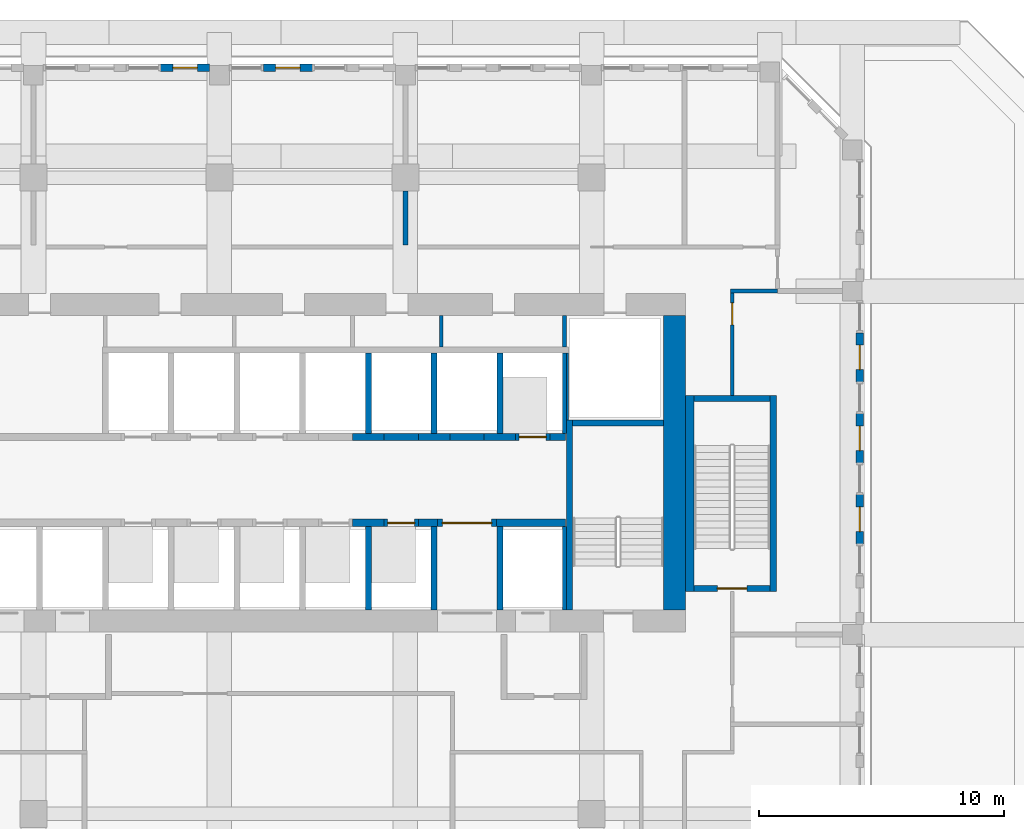
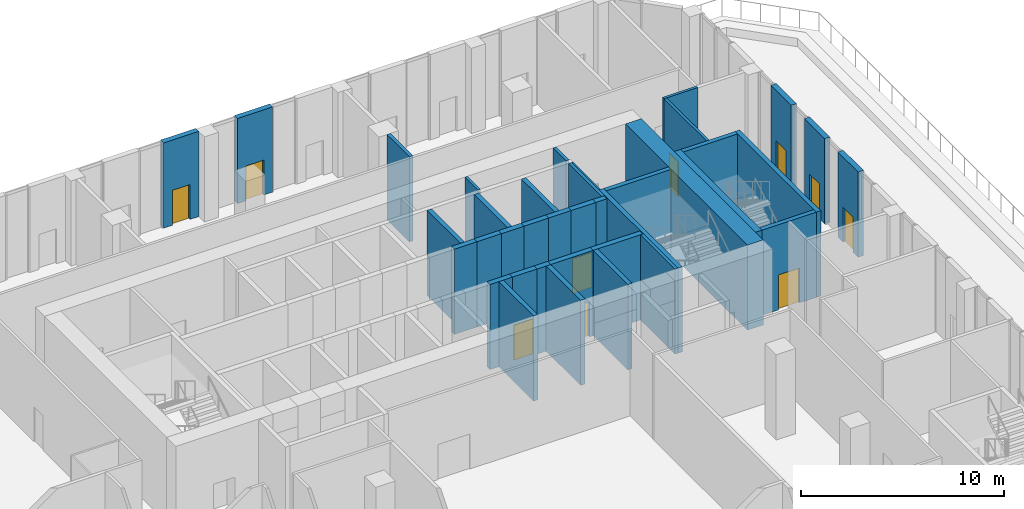
# One storey, part 14 of 19: 38 walls, 10 doors, 10 openings.
"""IFC4 building model written with IfcOpenShell, lengths in metres."""

from ifc_helpers import new_model, si_unit, direction, frame, frame_2d, origin, place, context, subcontext, project, spatial, rectangle, extrude, source, transform, mapped, material, layer, layer_set, type_object, element, fill, save


model = new_model("IFC4")

# Units and contexts
model_context = context("Model", 3, precision=1e-05, world=origin(), true_north=direction((0.0, 1.0)))
body_context = subcontext(model_context, "Body", "Model", "MODEL_VIEW")
ifc_project = project(units=[si_unit("LENGTHUNIT", "METRE"), si_unit("AREAUNIT", "SQUARE_METRE"), si_unit("VOLUMEUNIT", "CUBIC_METRE"), si_unit("PLANEANGLEUNIT", "RADIAN"), si_unit("MASSUNIT", "GRAM", prefix="KILO")], contexts=[model_context])

# Site, building, storey
site_placement = place(None, origin())
site = spatial("IfcSite", under=ifc_project, at=site_placement, CompositionType="ELEMENT")
building_placement = place(site_placement, origin())
building = spatial("IfcBuilding", under=site, at=building_placement, Name="Kilnfold Tower and Market Hall", CompositionType="ELEMENT")
storey_placement = place(building_placement, frame((0.0, 0.0, 138.5)))
storey = spatial("IfcBuildingStorey", under=building, at=storey_placement, Name="L31", CompositionType="ELEMENT", Elevation=138.5)

# Wall
ifc_material_1 = material(Name="Gypsum board on steel studs", Category="steel")
ifc_layer_1 = layer(ifc_material_1, 0.14990234375)
ifc_layer_set_1 = layer_set([ifc_layer_1], Name="Gypsum board on steel studs")
wall_type_1 = type_object("IfcWallType", Name="WALL CORRIDOR 150", PredefinedType="PARTITIONING", material=ifc_layer_set_1)
wall_1_placement = place(storey_placement, frame((19.824951171875, 22.0, 0.0), z_axis=(0.0, 0.0, 1.0), x_axis=(1.0, 0.0, 0.0)))
element("IfcWall", 1, at=wall_1_placement, inside=storey, type_object=wall_type_1, Name="Partition LY20.23", PredefinedType="PARTITIONING", context=body_context, shape_type="SweptSolid", body=[
    extrude(rectangle(XDim=1.925048828125, YDim=0.14990234375, at=frame_2d((0.96240234375, 0.0))), origin(), (0.0, 0.0, 1.0), 5.1201171875),
])

# Wall, opening, door
wall_2_placement = place(storey_placement, frame((19.89990234375, 17.75, 0.0), z_axis=(0.0, 0.0, 1.0), x_axis=(0.0, 1.0, 0.0)))
wall_2 = element("IfcWall", 2, at=wall_2_placement, inside=storey, type_object=wall_type_1, Name="Partition LY20.24", PredefinedType="PARTITIONING", context=body_context, shape_type="SweptSolid", body=[
    extrude(rectangle(XDim=4.175048828125, YDim=0.14990234375, at=frame_2d((2.08740234375, 0.0))), origin(), (0.0, 0.0, 1.0), 5.1201171875),
])
opening_1_placement = place(wall_2_placement, frame((2.8701171875, 0.0, 0.0)))
opening_1 = element("IfcOpeningElement", 3, at=opening_1_placement, cuts=wall_2, Name="Opening D2", PredefinedType="OPENING", context=body_context, shape_type="SweptSolid", body=[
    extrude(rectangle(XDim=0.89990234375, YDim=2.10009765625, at=frame_2d((0.449951171875, 1.050048828125))), frame((0.0, 0.0849609375, 0.0), z_axis=(0.0, -1.0, 0.0), x_axis=(1.0, 0.0, 0.0)), (0.0, 0.0, 1.0), 0.169921875),
])
ifc_material_2 = material(Name="Timber veneer door leaf in steel frame", Category="steel")
door_type_1 = type_object("IfcDoorType", Name="DOOR ROOM 900 X2100", OperationType="NOTDEFINED", PredefinedType="DOOR", material=ifc_material_2)
door_1_placement = place(opening_1_placement, origin())
door_1 = element("IfcDoor", 4, at=door_1_placement, inside=storey, type_object=door_type_1, Name="Door D2", OperationType="SINGLE_SWING_LEFT", OverallHeight=2.10009765625, OverallWidth=0.89990234375, PredefinedType="DOOR", context=body_context, shape_type="SweptSolid", body=[
    extrude(rectangle(XDim=0.89990234375, YDim=2.10009765625, at=frame_2d((0.449951171875, 1.050048828125))), frame((0.0, 0.02490234375, 0.0), z_axis=(0.0, -1.0, 0.0), x_axis=(1.0, 0.0, 0.0)), (0.0, 0.0, 1.0), 0.050048828125),
])
fill(opening_1, door_1)

# Walls
ifc_material_3 = material(Name="Gypsum board on steel studs", Category="steel")
ifc_layer_2 = layer(ifc_material_3, 0.199951171875)
ifc_layer_set_2 = layer_set([ifc_layer_2], Name="Gypsum board on steel studs")
wall_type_2 = type_object("IfcWallType", Name="WALL PARTY 200", PredefinedType="PARTITIONING", material=ifc_layer_set_2)
wall_3_placement = place(storey_placement, frame((6.5830078125, 23.876953125, 0.0), z_axis=(0.0, 0.0, 1.0), x_axis=(0.0, 1.0, 0.0)))
element("IfcWall", 5, at=wall_3_placement, inside=storey, type_object=wall_type_2, Name="Partition LY20.64", PredefinedType="PARTITIONING", context=body_context, shape_type="SweptSolid", body=[
    extrude(rectangle(XDim=2.197998046875, YDim=0.199951171875, at=frame_2d((1.09912109375, 0.0))), origin(), (0.0, 0.0, 1.0), 5.1201171875),
])
ifc_material_4 = material(Name="Concrete C70", Category="concrete")
ifc_layer_3 = layer(ifc_material_4, 0.89990234375)
ifc_layer_set_3 = layer_set([ifc_layer_3], Name="Concrete C70")
wall_type_3 = type_object("IfcWallType", Name="CORE WALL 900 C70", PredefinedType="SHEAR", material=ifc_layer_set_3)
shared_shape_1 = source(origin(), body_context, "Body", "SweptSolid", [
    extrude(rectangle(XDim=12.0, YDim=0.89990234375, at=frame_2d((6.0, 0.0))), origin(), (0.0, 0.0, 1.0), 5.1201171875),
])
wall_4_placement = place(storey_placement, frame((17.550048828125, 9.0, 0.0), z_axis=(0.0, 0.0, 1.0), x_axis=(0.0, 1.0, 0.0)))
element("IfcWall", 6, at=wall_4_placement, inside=storey, type_object=wall_type_3, Name="Core outer wall east", PredefinedType="SHEAR", context=body_context, shape_type="MappedRepresentation", body=[
    mapped(shared_shape_1, transform((0.0, 0.0, 0.0))),
])
ifc_material_5 = material(Name="Concrete C70", Category="concrete")
ifc_layer_4 = layer(ifc_material_5, 0.25)
ifc_layer_set_4 = layer_set([ifc_layer_4], Name="Concrete C70")
wall_type_4 = type_object("IfcWallType", Name="CORE WALL 250 C70", PredefinedType="SHEAR", material=ifc_layer_set_4)
shared_shape_2 = source(origin(), body_context, "Body", "SweptSolid", [
    extrude(rectangle(XDim=7.75, YDim=0.25, at=frame_2d((3.875, 0.0))), origin(), (0.0, 0.0, 1.0), 5.1201171875),
])
wall_5_placement = place(storey_placement, frame((13.27490234375, 9.0, 0.0), z_axis=(0.0, 0.0, 1.0), x_axis=(0.0, 1.0, 0.0)))
element("IfcWall", 7, at=wall_5_placement, inside=storey, type_object=wall_type_4, Name="Stair enclosure ST2", PredefinedType="SHEAR", context=body_context, shape_type="MappedRepresentation", body=[
    mapped(shared_shape_2, transform((0.0, 0.0, 0.0))),
])
shared_shape_3 = source(origin(), body_context, "Body", "SweptSolid", [
    extrude(rectangle(XDim=3.7001953125, YDim=0.25, at=frame_2d((1.85009765625, 0.0))), origin(), (0.0, 0.0, 1.0), 5.1201171875),
])
wall_6_placement = place(storey_placement, frame((13.39990234375, 16.625, 0.0), z_axis=(0.0, 0.0, 1.0), x_axis=(1.0, 0.0, 0.0)))
element("IfcWall", 8, at=wall_6_placement, inside=storey, type_object=wall_type_4, Name="Stair enclosure ST2", PredefinedType="SHEAR", context=body_context, shape_type="MappedRepresentation", body=[
    mapped(shared_shape_3, transform((0.0, 0.0, 0.0))),
])
shared_shape_4 = source(origin(), body_context, "Body", "SweptSolid", [
    extrude(rectangle(XDim=8.0, YDim=0.25, at=frame_2d((4.0, 0.0))), origin(), (0.0, 0.0, 1.0), 5.1201171875),
])
wall_7_placement = place(storey_placement, frame((21.574951171875, 9.75, 0.0), z_axis=(0.0, 0.0, 1.0), x_axis=(0.0, 1.0, 0.0)))
element("IfcWall", 9, at=wall_7_placement, inside=storey, type_object=wall_type_4, Name="Stair enclosure ST5", PredefinedType="SHEAR", context=body_context, shape_type="MappedRepresentation", body=[
    mapped(shared_shape_4, transform((0.0, 0.0, 0.0))),
])
ifc_material_6 = material(Name="Concrete C70", Category="concrete")
ifc_layer_5 = layer(ifc_material_6, 0.35009765625)
ifc_layer_set_5 = layer_set([ifc_layer_5], Name="Concrete C70")
wall_type_5 = type_object("IfcWallType", Name="CORE WALL 350 C70", PredefinedType="SHEAR", material=ifc_layer_set_5)
shared_shape_5 = source(origin(), body_context, "Body", "SweptSolid", [
    extrude(rectangle(XDim=8.0, YDim=0.35009765625, at=frame_2d((4.0, 0.0))), origin(), (0.0, 0.0, 1.0), 5.1201171875),
])
wall_8_placement = place(storey_placement, frame((18.175048828125, 9.75, 0.0), z_axis=(0.0, 0.0, 1.0), x_axis=(0.0, 1.0, 0.0)))
element("IfcWall", 10, at=wall_8_placement, inside=storey, type_object=wall_type_5, Name="Stair enclosure ST5", PredefinedType="SHEAR", context=body_context, shape_type="MappedRepresentation", body=[
    mapped(shared_shape_5, transform((0.0, 0.0, 0.0))),
])

# Wall, opening, door
shared_shape_6 = source(origin(), body_context, "Body", "SweptSolid", [
    extrude(rectangle(XDim=3.099853515625, YDim=0.25, at=frame_2d((1.5498046875, 0.0))), origin(), (0.0, 0.0, 1.0), 5.1201171875),
])
wall_9_placement = place(storey_placement, frame((18.35009765625, 9.875, 0.0), z_axis=(0.0, 0.0, 1.0), x_axis=(1.0, 0.0, 0.0)))
wall_9 = element("IfcWall", 11, at=wall_9_placement, inside=storey, type_object=wall_type_4, Name="Stair enclosure ST5", PredefinedType="SHEAR", context=body_context, shape_type="MappedRepresentation", body=[
    mapped(shared_shape_6, transform((0.0, 0.0, 0.0))),
])
opening_2_placement = place(wall_9_placement, frame((0.949951171875, 0.0, 0.0)))
opening_2 = element("IfcOpeningElement", 12, at=opening_2_placement, cuts=wall_9, Name="Opening SD1", PredefinedType="OPENING", context=body_context, shape_type="SweptSolid", body=[
    extrude(rectangle(XDim=1.199951171875, YDim=2.10009765625, at=frame_2d((0.60009765625, 1.050048828125))), frame((0.0, 0.135009765625, 0.0), z_axis=(0.0, -1.0, 0.0), x_axis=(1.0, 0.0, 0.0)), (0.0, 0.0, 1.0), 0.27001953125),
])
ifc_material_7 = material(Name="Steel door set with fire-resisting leaf", Category="steel")
door_type_2 = type_object("IfcDoorType", Name="STAIR FLOOR DOOR 1200X2100", OperationType="NOTDEFINED", PredefinedType="DOOR", material=ifc_material_7)
door_2_placement = place(opening_2_placement, origin())
door_2 = element("IfcDoor", 13, at=door_2_placement, inside=storey, type_object=door_type_2, Name="Exit stair ST5 door", OperationType="DOUBLE_DOOR_SINGLE_SWING", OverallHeight=2.10009765625, OverallWidth=1.199951171875, PredefinedType="DOOR", context=body_context, shape_type="SweptSolid", body=[
    extrude(rectangle(XDim=1.199951171875, YDim=2.10009765625, at=frame_2d((0.60009765625, 1.050048828125))), frame((0.0, 0.02490234375, 0.0), z_axis=(0.0, -1.0, 0.0), x_axis=(1.0, 0.0, 0.0)), (0.0, 0.0, 1.0), 0.050048828125),
])
fill(opening_2, door_2)

# Walls
wall_10_placement = place(storey_placement, frame((18.35009765625, 17.625, 0.0), z_axis=(0.0, 0.0, 1.0), x_axis=(1.0, 0.0, 0.0)))
element("IfcWall", 14, at=wall_10_placement, inside=storey, type_object=wall_type_4, Name="Stair enclosure ST5", PredefinedType="SHEAR", context=body_context, shape_type="MappedRepresentation", body=[
    mapped(shared_shape_6, transform((0.0, 0.0, 0.0))),
])
ifc_material_8 = material(Name="Concrete C70", Category="concrete")
ifc_layer_6 = layer(ifc_material_8, 0.300048828125)
ifc_layer_set_6 = layer_set([ifc_layer_6], Name="Concrete C70")
wall_type_6 = type_object("IfcWallType", Name="CORE WALL 300 C70", PredefinedType="SHEAR", material=ifc_layer_set_6)
shared_shape_7 = source(origin(), body_context, "Body", "SweptSolid", [
    extrude(rectangle(XDim=1.280029296875, YDim=0.300048828125, at=frame_2d((0.64013671875, 0.0))), origin(), (0.0, 0.0, 1.0), 5.1201171875),
])
for number, where, z_axis, x_axis, name in (
    (15, (4.429931640625, 12.550048828125, 0.0), (0.0, 0.0, 1.0), (1.0, 0.0, 0.0), "Core spine wall"),
    (16, (4.429931640625, 16.050048828125, 0.0), (0.0, 0.0, 1.0), (1.0, 0.0, 0.0), "Core spine wall"),
    (17, (9.7900390625, 16.050048828125, 0.0), (0.0, 0.0, 1.0), (1.0, 0.0, 0.0), "Core spine wall"),
):
    element("IfcWall", number, at=place(storey_placement, frame(where, z_axis=z_axis, x_axis=x_axis)), inside=storey, type_object=wall_type_6, Name=name, PredefinedType="SHEAR", context=body_context, shape_type="MappedRepresentation", body=[
        mapped(shared_shape_7, transform((0.0, 0.0, 0.0))),
    ])
shared_shape_8 = source(origin(), body_context, "Body", "SweptSolid", [
    extrude(rectangle(XDim=0.77978515625, YDim=0.300048828125, at=frame_2d((0.389892578125, 0.0))), origin(), (0.0, 0.0, 1.0), 5.1201171875),
])
wall_11_placement = place(storey_placement, frame((7.110107421875, 12.550048828125, 0.0), z_axis=(0.0, 0.0, 1.0), x_axis=(1.0, 0.0, 0.0)))
element("IfcWall", 18, at=wall_11_placement, inside=storey, type_object=wall_type_6, Name="Core spine wall", PredefinedType="SHEAR", context=body_context, shape_type="MappedRepresentation", body=[
    mapped(shared_shape_8, transform((0.0, 0.0, 0.0))),
])
shared_shape_9 = source(origin(), body_context, "Body", "SweptSolid", [
    extrude(rectangle(XDim=2.820068359375, YDim=0.300048828125, at=frame_2d((1.41015625, 0.0))), origin(), (0.0, 0.0, 1.0), 5.1201171875),
])
wall_12_placement = place(storey_placement, frame((10.2900390625, 12.550048828125, 0.0), z_axis=(0.0, 0.0, 1.0), x_axis=(1.0, 0.0, 0.0)))
element("IfcWall", 19, at=wall_12_placement, inside=storey, type_object=wall_type_6, Name="Core spine wall", PredefinedType="SHEAR", context=body_context, shape_type="MappedRepresentation", body=[
    mapped(shared_shape_9, transform((0.0, 0.0, 0.0))),
])
shared_shape_10 = source(origin(), body_context, "Body", "SweptSolid", [
    extrude(rectangle(XDim=1.27978515625, YDim=0.300048828125, at=frame_2d((0.639892578125, 0.0))), origin(), (0.0, 0.0, 1.0), 5.1201171875),
])
wall_13_placement = place(storey_placement, frame((7.110107421875, 16.050048828125, 0.0), z_axis=(0.0, 0.0, 1.0), x_axis=(1.0, 0.0, 0.0)))
element("IfcWall", 20, at=wall_13_placement, inside=storey, type_object=wall_type_6, Name="Core spine wall", PredefinedType="SHEAR", context=body_context, shape_type="MappedRepresentation", body=[
    mapped(shared_shape_10, transform((0.0, 0.0, 0.0))),
])
shared_shape_11 = source(origin(), body_context, "Body", "SweptSolid", [
    extrude(rectangle(XDim=0.64013671875, YDim=0.300048828125, at=frame_2d((0.320068359375, 0.0))), origin(), (0.0, 0.0, 1.0), 5.1201171875),
])
wall_14_placement = place(storey_placement, frame((12.469970703125, 16.050048828125, 0.0), z_axis=(0.0, 0.0, 1.0), x_axis=(1.0, 0.0, 0.0)))
element("IfcWall", 21, at=wall_14_placement, inside=storey, type_object=wall_type_6, Name="Core spine wall", PredefinedType="SHEAR", context=body_context, shape_type="MappedRepresentation", body=[
    mapped(shared_shape_11, transform((0.0, 0.0, 0.0))),
])

# Wall, opening, door
ifc_material_9 = material(Name="Precast concrete C50/60", Category="concrete")
ifc_layer_7 = layer(ifc_material_9, 0.300048828125)
ifc_layer_set_7 = layer_set([ifc_layer_7], Name="Precast concrete C50/60")
wall_type_7 = type_object("IfcWallType", Name="PRECAST WALL 300", PredefinedType="SOLIDWALL", material=ifc_layer_set_7)
shared_shape_12 = source(origin(), body_context, "Body", "SweptSolid", [
    extrude(rectangle(XDim=2.0, YDim=0.300048828125, at=frame_2d((1.0, 0.0))), origin(), (0.0, 0.0, 1.0), 5.1201171875),
])
wall_15_placement = place(storey_placement, frame((25.10009765625, 11.699951171875, 0.0), z_axis=(0.0, 0.0, 1.0), x_axis=(0.0, 1.0, 0.0)))
wall_15 = element("IfcWall", 22, at=wall_15_placement, inside=storey, type_object=wall_type_7, Name="External wall L31 E", PredefinedType="SOLIDWALL", context=body_context, shape_type="MappedRepresentation", body=[
    mapped(shared_shape_12, transform((0.0, 0.0, 0.0))),
])
opening_3_placement = place(wall_15_placement, frame((0.5, 0.0, 0.0)))
opening_3 = element("IfcOpeningElement", 23, at=opening_3_placement, cuts=wall_15, Name="Opening BD1", PredefinedType="OPENING", context=body_context, shape_type="SweptSolid", body=[
    extrude(rectangle(XDim=1.0, YDim=2.10009765625, at=frame_2d((0.5, 1.050048828125))), frame((0.0, 0.16015625, 0.0), z_axis=(0.0, -1.0, 0.0), x_axis=(1.0, 0.0, 0.0)), (0.0, 0.0, 1.0), 0.320068359375),
])
ifc_material_10 = material(Name="Aluminium frame and double glazing", Category="aluminium")
door_type_3 = type_object("IfcDoorType", Name="BALCONY DOOR 1000X2100", OperationType="NOTDEFINED", PredefinedType="DOOR", material=ifc_material_10)
door_3_placement = place(opening_3_placement, origin())
door_3 = element("IfcDoor", 24, at=door_3_placement, inside=storey, type_object=door_type_3, Name="Balcony door BD1 L31 E-2", OperationType="SINGLE_SWING_RIGHT", OverallHeight=2.10009765625, OverallWidth=1.0, PredefinedType="DOOR", context=body_context, shape_type="SweptSolid", body=[
    extrude(rectangle(XDim=1.0, YDim=2.10009765625, at=frame_2d((0.5, 1.050048828125))), frame((0.0, 0.02490234375, 0.0), z_axis=(0.0, -1.0, 0.0), x_axis=(1.0, 0.0, 0.0)), (0.0, 0.0, 1.0), 0.050048828125),
])
fill(opening_3, door_3)

wall_16_placement = place(storey_placement, frame((25.10009765625, 15.0, 0.0), z_axis=(0.0, 0.0, 1.0), x_axis=(0.0, 1.0, 0.0)))
wall_16 = element("IfcWall", 25, at=wall_16_placement, inside=storey, type_object=wall_type_7, Name="External wall L31 E", PredefinedType="SOLIDWALL", context=body_context, shape_type="MappedRepresentation", body=[
    mapped(shared_shape_12, transform((0.0, 0.0, 0.0))),
])
opening_4_placement = place(wall_16_placement, frame((0.5, 0.0, 0.0)))
opening_4 = element("IfcOpeningElement", 26, at=opening_4_placement, cuts=wall_16, Name="Opening BD1", PredefinedType="OPENING", context=body_context, shape_type="SweptSolid", body=[
    extrude(rectangle(XDim=1.0, YDim=2.10009765625, at=frame_2d((0.5, 1.050048828125))), frame((0.0, 0.16015625, 0.0), z_axis=(0.0, -1.0, 0.0), x_axis=(1.0, 0.0, 0.0)), (0.0, 0.0, 1.0), 0.320068359375),
])
door_4_placement = place(opening_4_placement, origin())
door_4 = element("IfcDoor", 27, at=door_4_placement, inside=storey, type_object=door_type_3, Name="Balcony door BD1 L31 E-3", OperationType="SINGLE_SWING_LEFT", OverallHeight=2.10009765625, OverallWidth=1.0, PredefinedType="DOOR", context=body_context, shape_type="SweptSolid", body=[
    extrude(rectangle(XDim=1.0, YDim=2.10009765625, at=frame_2d((0.5, 1.050048828125))), frame((0.0, 0.02490234375, 0.0), z_axis=(0.0, -1.0, 0.0), x_axis=(1.0, 0.0, 0.0)), (0.0, 0.0, 1.0), 0.050048828125),
])
fill(opening_4, door_4)

wall_17_placement = place(storey_placement, frame((25.10009765625, 18.300048828125, 0.0), z_axis=(0.0, 0.0, 1.0), x_axis=(0.0, 1.0, 0.0)))
wall_17 = element("IfcWall", 28, at=wall_17_placement, inside=storey, type_object=wall_type_7, Name="External wall L31 E", PredefinedType="SOLIDWALL", context=body_context, shape_type="MappedRepresentation", body=[
    mapped(shared_shape_12, transform((0.0, 0.0, 0.0))),
])
opening_5_placement = place(wall_17_placement, frame((0.5, 0.0, 0.0)))
opening_5 = element("IfcOpeningElement", 29, at=opening_5_placement, cuts=wall_17, Name="Opening BD1", PredefinedType="OPENING", context=body_context, shape_type="SweptSolid", body=[
    extrude(rectangle(XDim=1.0, YDim=2.10009765625, at=frame_2d((0.5, 1.050048828125))), frame((0.0, 0.16015625, 0.0), z_axis=(0.0, -1.0, 0.0), x_axis=(1.0, 0.0, 0.0)), (0.0, 0.0, 1.0), 0.320068359375),
])
door_5_placement = place(opening_5_placement, origin())
door_5 = element("IfcDoor", 30, at=door_5_placement, inside=storey, type_object=door_type_3, Name="Balcony door BD1 L31 E-4", OperationType="SINGLE_SWING_RIGHT", OverallHeight=2.10009765625, OverallWidth=1.0, PredefinedType="DOOR", context=body_context, shape_type="SweptSolid", body=[
    extrude(rectangle(XDim=1.0, YDim=2.10009765625, at=frame_2d((0.5, 1.050048828125))), frame((0.0, 0.02490234375, 0.0), z_axis=(0.0, -1.0, 0.0), x_axis=(1.0, 0.0, 0.0)), (0.0, 0.0, 1.0), 0.050048828125),
])
fill(opening_5, door_5)

wall_18_placement = place(storey_placement, frame((2.79150390625, 31.10009765625, 0.0), z_axis=(0.0, 0.0, 1.0), x_axis=(-1.0, 0.0, 0.0)))
wall_18 = element("IfcWall", 31, at=wall_18_placement, inside=storey, type_object=wall_type_7, Name="External wall L31 N", PredefinedType="SOLIDWALL", context=body_context, shape_type="MappedRepresentation", body=[
    mapped(shared_shape_12, transform((0.0, 0.0, 0.0))),
])
opening_6_placement = place(wall_18_placement, frame((0.5, 0.0, 0.0)))
opening_6 = element("IfcOpeningElement", 32, at=opening_6_placement, cuts=wall_18, Name="Opening BD1", PredefinedType="OPENING", context=body_context, shape_type="SweptSolid", body=[
    extrude(rectangle(XDim=1.0, YDim=2.10009765625, at=frame_2d((0.5, 1.050048828125))), frame((0.0, 0.16015625, 0.0), z_axis=(0.0, -1.0, 0.0), x_axis=(1.0, 0.0, 0.0)), (0.0, 0.0, 1.0), 0.320068359375),
])
door_6_placement = place(opening_6_placement, origin())
door_6 = element("IfcDoor", 33, at=door_6_placement, inside=storey, type_object=door_type_3, Name="Balcony door BD1 L31 N-2", OperationType="SINGLE_SWING_RIGHT", OverallHeight=2.10009765625, OverallWidth=1.0, PredefinedType="DOOR", context=body_context, shape_type="SweptSolid", body=[
    extrude(rectangle(XDim=1.0, YDim=2.10009765625, at=frame_2d((0.5, 1.050048828125))), frame((0.0, 0.02490234375, 0.0), z_axis=(0.0, -1.0, 0.0), x_axis=(1.0, 0.0, 0.0)), (0.0, 0.0, 1.0), 0.050048828125),
])
fill(opening_6, door_6)

wall_19_placement = place(storey_placement, frame((-1.39990234375, 31.10009765625, 0.0), z_axis=(0.0, 0.0, 1.0), x_axis=(-1.0, 0.0, 0.0)))
wall_19 = element("IfcWall", 34, at=wall_19_placement, inside=storey, type_object=wall_type_7, Name="External wall L31 N", PredefinedType="SOLIDWALL", context=body_context, shape_type="MappedRepresentation", body=[
    mapped(shared_shape_12, transform((0.0, 0.0, 0.0))),
])
opening_7_placement = place(wall_19_placement, frame((0.5, 0.0, 0.0)))
opening_7 = element("IfcOpeningElement", 35, at=opening_7_placement, cuts=wall_19, Name="Opening BD1", PredefinedType="OPENING", context=body_context, shape_type="SweptSolid", body=[
    extrude(rectangle(XDim=1.0, YDim=2.10009765625, at=frame_2d((0.5, 1.050048828125))), frame((0.0, 0.16015625, 0.0), z_axis=(0.0, -1.0, 0.0), x_axis=(1.0, 0.0, 0.0)), (0.0, 0.0, 1.0), 0.320068359375),
])
door_7_placement = place(opening_7_placement, origin())
door_7 = element("IfcDoor", 36, at=door_7_placement, inside=storey, type_object=door_type_3, Name="Balcony door BD1 L31 N-1", OperationType="SINGLE_SWING_LEFT", OverallHeight=2.10009765625, OverallWidth=1.0, PredefinedType="DOOR", context=body_context, shape_type="SweptSolid", body=[
    extrude(rectangle(XDim=1.0, YDim=2.10009765625, at=frame_2d((0.5, 1.050048828125))), frame((0.0, 0.02490234375, 0.0), z_axis=(0.0, -1.0, 0.0), x_axis=(1.0, 0.0, 0.0)), (0.0, 0.0, 1.0), 0.050048828125),
])
fill(opening_7, door_7)

ifc_material_11 = material(Name="Gypsum shaft wall system")
ifc_layer_8 = layer(ifc_material_11, 0.300048828125)
ifc_layer_set_8 = layer_set([ifc_layer_8], Name="Gypsum shaft wall system")
wall_type_8 = type_object("IfcWallType", Name="SHAFT WALL 300", PredefinedType="PARTITIONING", material=ifc_layer_set_8)
shared_shape_13 = source(origin(), body_context, "Body", "SweptSolid", [
    extrude(rectangle(XDim=1.39990234375, YDim=0.300048828125, at=frame_2d((0.699951171875, 0.0))), origin(), (0.0, 0.0, 1.0), 5.1201171875),
])
wall_20_placement = place(storey_placement, frame((11.070068359375, 16.050048828125, 0.0), z_axis=(0.0, 0.0, 1.0), x_axis=(1.0, 0.0, 0.0)))
wall_20 = element("IfcWall", 37, at=wall_20_placement, inside=storey, type_object=wall_type_8, Name="Lift shaft front wall", PredefinedType="PARTITIONING", context=body_context, shape_type="MappedRepresentation", body=[
    mapped(shared_shape_13, transform((0.0, 0.0, 0.0))),
])
opening_8_placement = place(wall_20_placement, frame((0.14990234375, 0.0, 0.0)))
opening_8 = element("IfcOpeningElement", 38, at=opening_8_placement, cuts=wall_20, Name="Opening LD2", PredefinedType="OPENING", context=body_context, shape_type="SweptSolid", body=[
    extrude(rectangle(XDim=1.10009765625, YDim=2.10009765625, at=frame_2d((0.550048828125, 1.050048828125))), frame((0.0, 0.16015625, 0.0), z_axis=(0.0, -1.0, 0.0), x_axis=(1.0, 0.0, 0.0)), (0.0, 0.0, 1.0), 0.320068359375),
])
ifc_material_12 = material(Name="Steel door set with fire-resisting leaf", Category="steel")
door_type_4 = type_object("IfcDoorType", Name="LANDING DOOR 1100X2100", OperationType="NOTDEFINED", PredefinedType="DOOR", material=ifc_material_12)
door_8_placement = place(opening_8_placement, origin())
door_8 = element("IfcDoor", 39, at=door_8_placement, inside=storey, type_object=door_type_4, Name="Landing door MR6", OperationType="DOUBLE_DOOR_SLIDING", OverallHeight=2.10009765625, OverallWidth=1.10009765625, PredefinedType="DOOR", context=body_context, shape_type="SweptSolid", body=[
    extrude(rectangle(XDim=1.10009765625, YDim=2.10009765625, at=frame_2d((0.550048828125, 1.050048828125))), frame((0.0, 0.02490234375, 0.0), z_axis=(0.0, -1.0, 0.0), x_axis=(1.0, 0.0, 0.0)), (0.0, 0.0, 1.0), 0.050048828125),
])
fill(opening_8, door_8)

shared_shape_14 = source(origin(), body_context, "Body", "SweptSolid", [
    extrude(rectangle(XDim=1.400146484375, YDim=0.300048828125, at=frame_2d((0.7001953125, 0.0))), origin(), (0.0, 0.0, 1.0), 5.1201171875),
])
wall_21_placement = place(storey_placement, frame((5.7099609375, 12.550048828125, 0.0), z_axis=(0.0, 0.0, 1.0), x_axis=(1.0, 0.0, 0.0)))
wall_21 = element("IfcWall", 40, at=wall_21_placement, inside=storey, type_object=wall_type_8, Name="Lift shaft front wall", PredefinedType="PARTITIONING", context=body_context, shape_type="MappedRepresentation", body=[
    mapped(shared_shape_14, transform((0.0, 0.0, 0.0))),
])
opening_9_placement = place(wall_21_placement, frame((0.14990234375, 0.0, 0.0)))
opening_9 = element("IfcOpeningElement", 41, at=opening_9_placement, cuts=wall_21, Name="Opening LD2", PredefinedType="OPENING", context=body_context, shape_type="SweptSolid", body=[
    extrude(rectangle(XDim=1.10009765625, YDim=2.10009765625, at=frame_2d((0.550048828125, 1.050048828125))), frame((0.0, 0.16015625, 0.0), z_axis=(0.0, -1.0, 0.0), x_axis=(1.0, 0.0, 0.0)), (0.0, 0.0, 1.0), 0.320068359375),
])
door_9_placement = place(opening_9_placement, origin())
door_9 = element("IfcDoor", 42, at=door_9_placement, inside=storey, type_object=door_type_4, Name="Landing door MR5", OperationType="DOUBLE_DOOR_SLIDING", OverallHeight=2.10009765625, OverallWidth=1.10009765625, PredefinedType="DOOR", context=body_context, shape_type="SweptSolid", body=[
    extrude(rectangle(XDim=1.10009765625, YDim=2.10009765625, at=frame_2d((0.550048828125, 1.050048828125))), frame((0.0, 0.02490234375, 0.0), z_axis=(0.0, -1.0, 0.0), x_axis=(1.0, 0.0, 0.0)), (0.0, 0.0, 1.0), 0.050048828125),
])
fill(opening_9, door_9)

# Walls
for number, where, z_axis, x_axis, name in (
    (43, (5.7099609375, 16.050048828125, 0.0), (0.0, 0.0, 1.0), (1.0, 0.0, 0.0), "Lift shaft front wall"),
    (44, (8.389892578125, 16.050048828125, 0.0), (0.0, 0.0, 1.0), (1.0, 0.0, 0.0), "Lift shaft front wall"),
):
    element("IfcWall", number, at=place(storey_placement, frame(where, z_axis=z_axis, x_axis=x_axis)), inside=storey, type_object=wall_type_8, Name=name, PredefinedType="PARTITIONING", context=body_context, shape_type="MappedRepresentation", body=[
        mapped(shared_shape_14, transform((0.0, 0.0, 0.0))),
    ])

# Wall, opening, door
shared_shape_15 = source(origin(), body_context, "Body", "SweptSolid", [
    extrude(rectangle(XDim=2.400146484375, YDim=0.300048828125, at=frame_2d((1.2001953125, 0.0))), origin(), (0.0, 0.0, 1.0), 5.1201171875),
])
wall_22_placement = place(storey_placement, frame((7.889892578125, 12.550048828125, 0.0), z_axis=(0.0, 0.0, 1.0), x_axis=(1.0, 0.0, 0.0)))
wall_22 = element("IfcWall", 45, at=wall_22_placement, inside=storey, type_object=wall_type_8, Name="Lift shaft front wall", PredefinedType="PARTITIONING", context=body_context, shape_type="MappedRepresentation", body=[
    mapped(shared_shape_15, transform((0.0, 0.0, 0.0))),
])
opening_10_placement = place(wall_22_placement, frame((0.199951171875, 0.0, 0.0)))
opening_10 = element("IfcOpeningElement", 46, at=opening_10_placement, cuts=wall_22, Name="Opening VD2", PredefinedType="OPENING", context=body_context, shape_type="SweptSolid", body=[
    extrude(rectangle(XDim=2.0, YDim=2.10009765625, at=frame_2d((1.0, 1.050048828125))), frame((0.0, 0.16015625, 0.0), z_axis=(0.0, -1.0, 0.0), x_axis=(1.0, 0.0, 0.0)), (0.0, 0.0, 1.0), 0.320068359375),
])
ifc_material_13 = material(Name="Steel door set with fire-resisting leaf", Category="steel")
door_type_5 = type_object("IfcDoorType", Name="LIFT LOBBY ENTRANCE DOOR 2000X2100", OperationType="NOTDEFINED", PredefinedType="DOOR", material=ifc_material_13)
door_10_placement = place(opening_10_placement, origin())
door_10 = element("IfcDoor", 47, at=door_10_placement, inside=storey, type_object=door_type_5, Name="Lift lobby entrance door", OperationType="DOUBLE_DOOR_SINGLE_SWING", OverallHeight=2.10009765625, OverallWidth=2.0, PredefinedType="DOOR", context=body_context, shape_type="SweptSolid", body=[
    extrude(rectangle(XDim=2.0, YDim=2.10009765625, at=frame_2d((1.0, 1.050048828125))), frame((0.0, 0.02490234375, 0.0), z_axis=(0.0, -1.0, 0.0), x_axis=(1.0, 0.0, 0.0)), (0.0, 0.0, 1.0), 0.050048828125),
])
fill(opening_10, door_10)

# Walls
ifc_material_14 = material(Name="Gypsum shaft wall system")
ifc_layer_9 = layer(ifc_material_14, 0.1650390625)
ifc_layer_set_9 = layer_set([ifc_layer_9], Name="Gypsum shaft wall system")
wall_type_9 = type_object("IfcWallType", Name="SHAFT WALL 165", PredefinedType="PARTITIONING", material=ifc_layer_set_9)
shared_shape_16 = source(origin(), body_context, "Body", "SweptSolid", [
    extrude(rectangle(XDim=3.275146484375, YDim=0.1650390625, at=frame_2d((1.6376953125, 0.0))), origin(), (0.0, 0.0, 1.0), 5.1201171875),
])
wall_23_placement = place(storey_placement, frame((13.0673828125, 16.199951171875, 0.0), z_axis=(0.0, 0.0, 1.0), x_axis=(0.0, 1.0, 0.0)))
element("IfcWall", 48, at=wall_23_placement, inside=storey, type_object=wall_type_9, Name="Lift shaft wall", PredefinedType="PARTITIONING", context=body_context, shape_type="MappedRepresentation", body=[
    mapped(shared_shape_16, transform((0.0, 0.0, 0.0))),
])
shared_shape_17 = source(origin(), body_context, "Body", "SweptSolid", [
    extrude(rectangle(XDim=1.27490234375, YDim=0.1650390625, at=frame_2d((0.637451171875, 0.0))), origin(), (0.0, 0.0, 1.0), 5.1201171875),
])
wall_24_placement = place(storey_placement, frame((13.0673828125, 19.72509765625, 0.0), z_axis=(0.0, 0.0, 1.0), x_axis=(0.0, 1.0, 0.0)))
element("IfcWall", 49, at=wall_24_placement, inside=storey, type_object=wall_type_9, Name="Lift shaft wall", PredefinedType="PARTITIONING", context=body_context, shape_type="MappedRepresentation", body=[
    mapped(shared_shape_17, transform((0.0, 0.0, 0.0))),
])
ifc_material_15 = material(Name="Gypsum shaft wall system")
ifc_layer_10 = layer(ifc_material_15, 0.25)
ifc_layer_set_10 = layer_set([ifc_layer_10], Name="Gypsum shaft wall system")
wall_type_10 = type_object("IfcWallType", Name="SHAFT WALL 250", PredefinedType="PARTITIONING", material=ifc_layer_set_10)
shared_shape_18 = source(origin(), body_context, "Body", "SweptSolid", [
    extrude(rectangle(XDim=3.275146484375, YDim=0.25, at=frame_2d((1.6376953125, 0.0))), origin(), (0.0, 0.0, 1.0), 5.1201171875),
])
for number, where, z_axis, x_axis, name in (
    (50, (10.429931640625, 16.199951171875, 0.0), (0.0, 0.0, 1.0), (0.0, 1.0, 0.0), "Lift shaft wall"),
    (51, (5.070068359375, 16.199951171875, 0.0), (0.0, 0.0, 1.0), (0.0, 1.0, 0.0), "Lift shaft wall"),
    (52, (7.75, 16.199951171875, 0.0), (0.0, 0.0, 1.0), (0.0, 1.0, 0.0), "Lift shaft wall"),
):
    element("IfcWall", number, at=place(storey_placement, frame(where, z_axis=z_axis, x_axis=x_axis)), inside=storey, type_object=wall_type_10, Name=name, PredefinedType="PARTITIONING", context=body_context, shape_type="MappedRepresentation", body=[
        mapped(shared_shape_18, transform((0.0, 0.0, 0.0))),
    ])
ifc_material_16 = material(Name="Gypsum shaft wall system")
ifc_layer_11 = layer(ifc_material_16, 0.0849609375)
ifc_layer_set_11 = layer_set([ifc_layer_11], Name="Gypsum shaft wall system")
wall_type_11 = type_object("IfcWallType", Name="SHAFT WALL 85", PredefinedType="PARTITIONING", material=ifc_layer_set_11)
shared_shape_19 = source(origin(), body_context, "Body", "SweptSolid", [
    extrude(rectangle(XDim=2.72509765625, YDim=0.0849609375, at=frame_2d((1.362548828125, 0.0))), origin(), (0.0, 0.0, 1.0), 5.1201171875),
])
wall_25_placement = place(storey_placement, frame((13.1923828125, 16.75, 0.0), z_axis=(0.0, 0.0, 1.0), x_axis=(0.0, 1.0, 0.0)))
element("IfcWall", 53, at=wall_25_placement, inside=storey, type_object=wall_type_11, Name="Lift shaft wall", PredefinedType="PARTITIONING", context=body_context, shape_type="MappedRepresentation", body=[
    mapped(shared_shape_19, transform((0.0, 0.0, 0.0))),
])
shared_shape_20 = source(origin(), body_context, "Body", "SweptSolid", [
    extrude(rectangle(XDim=3.39990234375, YDim=0.25, at=frame_2d((1.699951171875, 0.0))), origin(), (0.0, 0.0, 1.0), 5.1201171875),
])
for number, where, z_axis, x_axis, name in (
    (54, (10.429931640625, 9.0, 0.0), (0.0, 0.0, 1.0), (0.0, 1.0, 0.0), "Lift shaft wall"),
    (55, (5.070068359375, 9.0, 0.0), (0.0, 0.0, 1.0), (0.0, 1.0, 0.0), "Lift shaft wall"),
    (56, (7.75, 9.0, 0.0), (0.0, 0.0, 1.0), (0.0, 1.0, 0.0), "Lift shaft wall"),
):
    element("IfcWall", number, at=place(storey_placement, frame(where, z_axis=z_axis, x_axis=x_axis)), inside=storey, type_object=wall_type_10, Name=name, PredefinedType="PARTITIONING", context=body_context, shape_type="MappedRepresentation", body=[
        mapped(shared_shape_20, transform((0.0, 0.0, 0.0))),
    ])
shared_shape_21 = source(origin(), body_context, "Body", "SweptSolid", [
    extrude(rectangle(XDim=3.39990234375, YDim=0.1650390625, at=frame_2d((1.699951171875, 0.0))), origin(), (0.0, 0.0, 1.0), 5.1201171875),
])
wall_26_placement = place(storey_placement, frame((13.0673828125, 9.0, 0.0), z_axis=(0.0, 0.0, 1.0), x_axis=(0.0, 1.0, 0.0)))
element("IfcWall", 57, at=wall_26_placement, inside=storey, type_object=wall_type_9, Name="Lift shaft wall", PredefinedType="PARTITIONING", context=body_context, shape_type="MappedRepresentation", body=[
    mapped(shared_shape_21, transform((0.0, 0.0, 0.0))),
])
ifc_material_17 = material(Name="Gypsum shaft wall system")
ifc_layer_12 = layer(ifc_material_17, 0.14990234375)
ifc_layer_set_12 = layer_set([ifc_layer_12], Name="Gypsum shaft wall system")
wall_type_12 = type_object("IfcWallType", Name="ROOM WALL 150", PredefinedType="PARTITIONING", material=ifc_layer_set_12)
shared_shape_22 = source(origin(), body_context, "Body", "SweptSolid", [
    extrude(rectangle(XDim=1.27490234375, YDim=0.14990234375, at=frame_2d((0.637451171875, 0.0))), origin(), (0.0, 0.0, 1.0), 5.1201171875),
])
wall_27_placement = place(storey_placement, frame((8.044921875, 19.72509765625, 0.0), z_axis=(0.0, 0.0, 1.0), x_axis=(0.0, 1.0, 0.0)))
element("IfcWall", 58, at=wall_27_placement, inside=storey, type_object=wall_type_12, Name="Core room wall", PredefinedType="PARTITIONING", context=body_context, shape_type="MappedRepresentation", body=[
    mapped(shared_shape_22, transform((0.0, 0.0, 0.0))),
])

save(model, "model.ifc")
